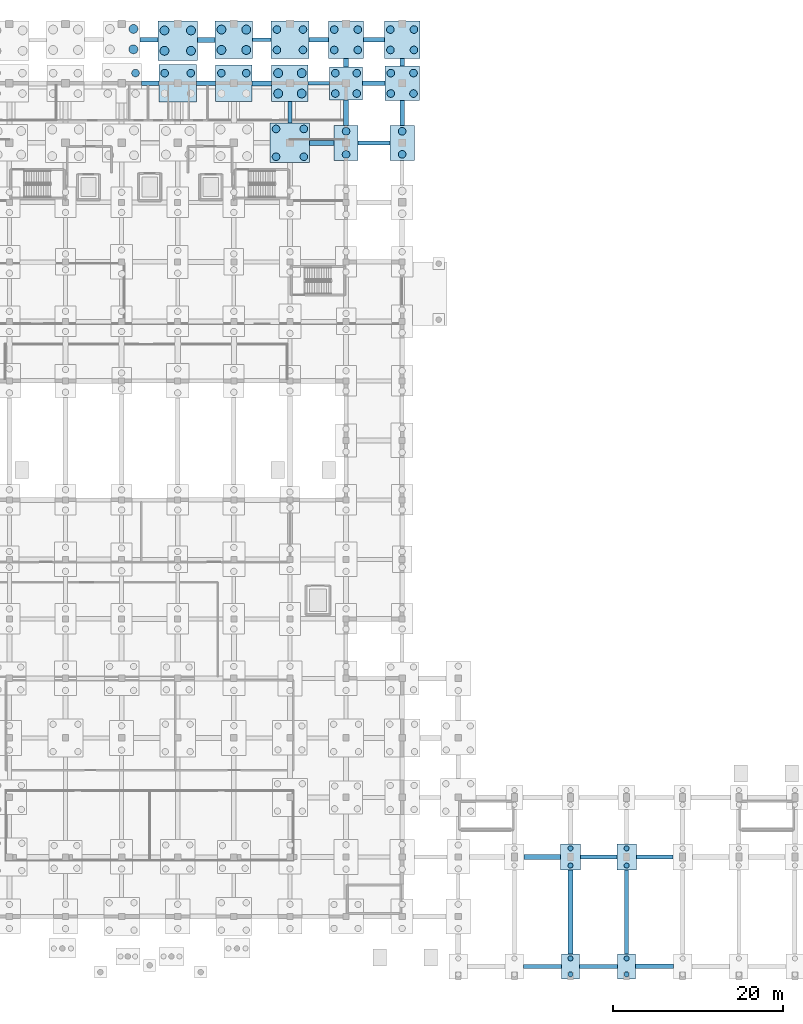
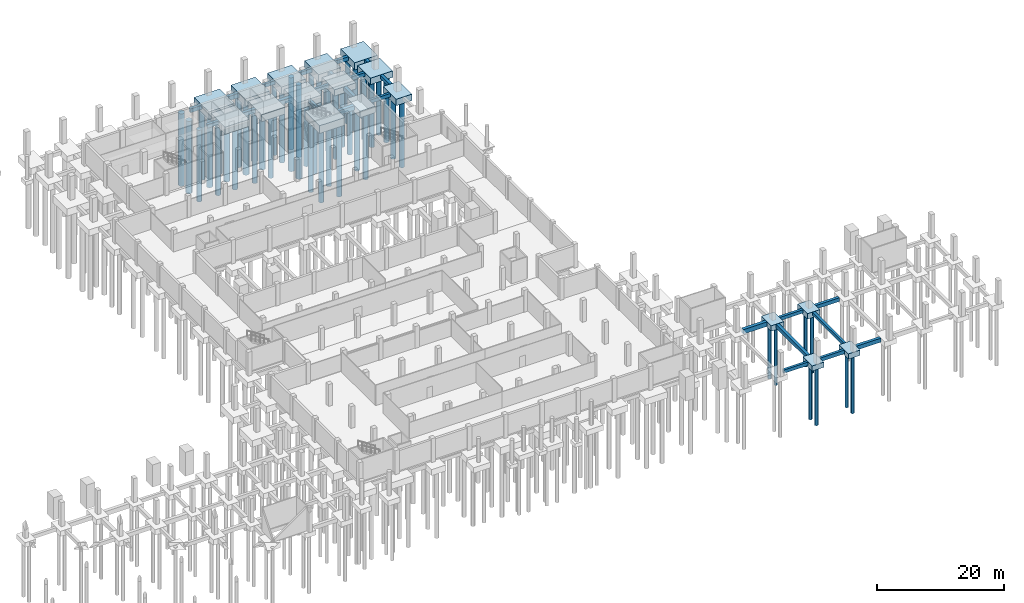
# One storey, part 11 of 27: 55 piles, 42 footings.
"""IFC4 building model written with IfcOpenShell, lengths in metres."""

from ifc_helpers import new_model, si_unit, direction, frame, origin, origin_2d, place, context, subcontext, project, spatial, rectangle, circle, extrude, material, material_profile, profile_set, type_object, element, save


model = new_model("IFC4")

# Units and contexts
model_context = context("Model", 3, precision=1e-05, world=origin(), true_north=direction((0.0, 1.0)))
body_context = subcontext(model_context, "Body", "Model", "MODEL_VIEW")
ifc_project = project(units=[si_unit("LENGTHUNIT", "METRE"), si_unit("AREAUNIT", "SQUARE_METRE"), si_unit("VOLUMEUNIT", "CUBIC_METRE"), si_unit("PLANEANGLEUNIT", "RADIAN"), si_unit("MASSUNIT", "GRAM", prefix="KILO")], contexts=[model_context])

# Site, building, storey
site_placement = place(None, origin())
site = spatial("IfcSite", under=ifc_project, at=site_placement, CompositionType="ELEMENT")
building_placement = place(site_placement, origin())
building = spatial("IfcBuilding", under=site, at=building_placement, Name="Ciguamira Faculty of Natural Sciences", CompositionType="ELEMENT")
storey_placement = place(building_placement, frame((0.0, 0.0, -4.199951171875)))
storey = spatial("IfcBuildingStorey", under=building, at=storey_placement, Name="B1", CompositionType="ELEMENT", Elevation=-4.199951171875)

# Piles
ifc_material = material(Name="Concrete C35/45", Category="concrete")
ifc_material_profile_1 = material_profile(ifc_material, circle(Radius=0.300048828125, at=origin_2d()), Name="PILE-BORED-600")
ifc_profile_set_1 = profile_set([ifc_material_profile_1], Name="Concrete C35/45")
pile_type_1 = type_object("IfcPileType", Name="BoredPile_BP-01_600", PredefinedType="BORED", material=ifc_profile_set_1)
for number, where, z_axis, x_axis, name in (
    (1, (136.5, 3.18994140625, -1.300048828125), (0.0, 0.0, -1.0), (1.0, 0.0, 0.0), "B1 bored pile 193-1"),
    (2, (136.5, 5.06005859375, -1.300048828125), (0.0, 0.0, -1.0), (1.0, 0.0, 0.0), "B1 bored pile 193-2"),
):
    element("IfcPile", number, at=place(storey_placement, frame(where, z_axis=z_axis, x_axis=x_axis)), inside=storey, type_object=pile_type_1, Name=name, PredefinedType="BORED", context=body_context, shape_type="SweptSolid", body=[
        extrude(circle(Radius=0.300048828125, at=origin_2d()), origin(), (0.0, 0.0, 1.0), 11.10009765625),
    ])
for number, where, z_axis, x_axis, name in (
    (3, (136.5, 15.989990234375, -1.35009765625), (0.0, 0.0, -1.0), (1.0, 0.0, 0.0), "B1 bored pile 194-1"),
    (4, (136.5, 18.010009765625, -1.35009765625), (0.0, 0.0, -1.0), (1.0, 0.0, 0.0), "B1 bored pile 194-2"),
):
    element("IfcPile", number, at=place(storey_placement, frame(where, z_axis=z_axis, x_axis=x_axis)), inside=storey, type_object=pile_type_1, Name=name, PredefinedType="BORED", context=body_context, shape_type="SweptSolid", body=[
        extrude(circle(Radius=0.300048828125, at=origin_2d()), origin(), (0.0, 0.0, 1.0), 11.050048828125),
    ])
for number, where, z_axis, x_axis, name in (
    (5, (143.10009765625, 3.18994140625, -1.300048828125), (0.0, 0.0, -1.0), (1.0, 0.0, 0.0), "B1 bored pile 196-1"),
    (6, (143.10009765625, 5.06005859375, -1.300048828125), (0.0, 0.0, -1.0), (1.0, 0.0, 0.0), "B1 bored pile 196-2"),
):
    element("IfcPile", number, at=place(storey_placement, frame(where, z_axis=z_axis, x_axis=x_axis)), inside=storey, type_object=pile_type_1, Name=name, PredefinedType="BORED", context=body_context, shape_type="SweptSolid", body=[
        extrude(circle(Radius=0.300048828125, at=origin_2d()), origin(), (0.0, 0.0, 1.0), 11.10009765625),
    ])
for number, where, z_axis, x_axis, name in (
    (7, (143.10009765625, 15.989990234375, -1.35009765625), (0.0, 0.0, -1.0), (1.0, 0.0, 0.0), "B1 bored pile 197-1"),
    (8, (143.10009765625, 18.010009765625, -1.35009765625), (0.0, 0.0, -1.0), (1.0, 0.0, 0.0), "B1 bored pile 197-2"),
):
    element("IfcPile", number, at=place(storey_placement, frame(where, z_axis=z_axis, x_axis=x_axis)), inside=storey, type_object=pile_type_1, Name=name, PredefinedType="BORED", context=body_context, shape_type="SweptSolid", body=[
        extrude(circle(Radius=0.300048828125, at=origin_2d()), origin(), (0.0, 0.0, 1.0), 11.050048828125),
    ])
ifc_material_profile_2 = material_profile(ifc_material, circle(Radius=0.449951171875, at=origin_2d()), Name="PILE-BORED-900")
ifc_profile_set_2 = profile_set([ifc_material_profile_2], Name="Concrete C35/45")
pile_type_2 = type_object("IfcPileType", Name="BoredPile_BP-03_900", PredefinedType="BORED", material=ifc_profile_set_2)
pile_placement = place(storey_placement, frame((85.3349609375, 109.199951171875, -1.800048828125), z_axis=(0.0, 0.0, -1.0), x_axis=(1.0, 0.0, 0.0)))
element("IfcPile", 9, at=pile_placement, inside=storey, type_object=pile_type_2, Name="B1 bored pile 107-4", PredefinedType="BORED", context=body_context, shape_type="SweptSolid", body=[
    extrude(circle(Radius=0.449951171875, at=origin_2d()), origin(), (0.0, 0.0, 1.0), 13.800048828125),
])
for number, where, z_axis, x_axis, name in (
    (10, (88.764892578125, 109.199951171875, -1.699951171875), (0.0, 0.0, -1.0), (1.0, 0.0, 0.0), "B1 bored pile 121-3"),
    (11, (91.8349609375, 109.199951171875, -1.699951171875), (0.0, 0.0, -1.0), (1.0, 0.0, 0.0), "B1 bored pile 121-4"),
):
    element("IfcPile", number, at=place(storey_placement, frame(where, z_axis=z_axis, x_axis=x_axis)), inside=storey, type_object=pile_type_2, Name=name, PredefinedType="BORED", context=body_context, shape_type="SweptSolid", body=[
        extrude(circle(Radius=0.449951171875, at=origin_2d()), origin(), (0.0, 0.0, 1.0), 13.89990234375),
    ])
for number, where, z_axis, x_axis, name in (
    (12, (95.43994140625, 109.199951171875, -1.650146484375), (0.0, 0.0, -1.0), (1.0, 0.0, 0.0), "B1 bored pile 135-3"),
    (13, (98.360107421875, 109.199951171875, -1.650146484375), (0.0, 0.0, -1.0), (1.0, 0.0, 0.0), "B1 bored pile 135-4"),
):
    element("IfcPile", number, at=place(storey_placement, frame(where, z_axis=z_axis, x_axis=x_axis)), inside=storey, type_object=pile_type_2, Name=name, PredefinedType="BORED", context=body_context, shape_type="SweptSolid", body=[
        extrude(circle(Radius=0.449951171875, at=origin_2d()), origin(), (0.0, 0.0, 1.0), 13.949951171875),
    ])
for number, where, z_axis, x_axis, name in (
    (14, (101.864990234375, 99.364990234375, -1.800048828125), (0.0, 0.0, -1.0), (1.0, 0.0, 0.0), "B1 bored pile 149-1"),
    (15, (105.135009765625, 99.364990234375, -1.800048828125), (0.0, 0.0, -1.0), (1.0, 0.0, 0.0), "B1 bored pile 149-2"),
    (16, (101.864990234375, 102.635009765625, -1.800048828125), (0.0, 0.0, -1.0), (1.0, 0.0, 0.0), "B1 bored pile 149-3"),
    (17, (105.135009765625, 102.635009765625, -1.800048828125), (0.0, 0.0, -1.0), (1.0, 0.0, 0.0), "B1 bored pile 149-4"),
):
    element("IfcPile", number, at=place(storey_placement, frame(where, z_axis=z_axis, x_axis=x_axis)), inside=storey, type_object=pile_type_2, Name=name, PredefinedType="BORED", context=body_context, shape_type="SweptSolid", body=[
        extrude(circle(Radius=0.449951171875, at=origin_2d()), origin(), (0.0, 0.0, 1.0), 13.800048828125),
    ])
for number, where, z_axis, x_axis, name in (
    (18, (101.965087890625, 111.925048828125, -1.699951171875), (0.0, 0.0, -1.0), (1.0, 0.0, 0.0), "B1 bored pile 151-1"),
    (19, (105.034912109375, 111.925048828125, -1.699951171875), (0.0, 0.0, -1.0), (1.0, 0.0, 0.0), "B1 bored pile 151-2"),
    (20, (101.965087890625, 114.324951171875, -1.699951171875), (0.0, 0.0, -1.0), (1.0, 0.0, 0.0), "B1 bored pile 151-3"),
    (21, (105.034912109375, 114.324951171875, -1.699951171875), (0.0, 0.0, -1.0), (1.0, 0.0, 0.0), "B1 bored pile 151-4"),
):
    element("IfcPile", number, at=place(storey_placement, frame(where, z_axis=z_axis, x_axis=x_axis)), inside=storey, type_object=pile_type_2, Name=name, PredefinedType="BORED", context=body_context, shape_type="SweptSolid", body=[
        extrude(circle(Radius=0.449951171875, at=origin_2d()), origin(), (0.0, 0.0, 1.0), 13.89990234375),
    ])
for number, where, z_axis, x_axis, name in (
    (22, (110.10009765625, 99.639892578125, -1.550048828125), (0.0, 0.0, -1.0), (1.0, 0.0, 0.0), "B1 bored pile 165-1"),
    (23, (110.10009765625, 102.360107421875, -1.550048828125), (0.0, 0.0, -1.0), (1.0, 0.0, 0.0), "B1 bored pile 165-2"),
):
    element("IfcPile", number, at=place(storey_placement, frame(where, z_axis=z_axis, x_axis=x_axis)), inside=storey, type_object=pile_type_2, Name=name, PredefinedType="BORED", context=body_context, shape_type="SweptSolid", body=[
        extrude(circle(Radius=0.449951171875, at=origin_2d()), origin(), (0.0, 0.0, 1.0), 12.64990234375),
    ])
for number, where, z_axis, x_axis, name in (
    (24, (108.840087890625, 106.800048828125, -1.5), (0.0, 0.0, -1.0), (1.0, 0.0, 0.0), "B1 bored pile 166-1"),
    (25, (111.360107421875, 106.800048828125, -1.5), (0.0, 0.0, -1.0), (1.0, 0.0, 0.0), "B1 bored pile 166-2"),
    (26, (108.840087890625, 109.199951171875, -1.5), (0.0, 0.0, -1.0), (1.0, 0.0, 0.0), "B1 bored pile 166-3"),
    (27, (111.360107421875, 109.199951171875, -1.5), (0.0, 0.0, -1.0), (1.0, 0.0, 0.0), "B1 bored pile 166-4"),
):
    element("IfcPile", number, at=place(storey_placement, frame(where, z_axis=z_axis, x_axis=x_axis)), inside=storey, type_object=pile_type_2, Name=name, PredefinedType="BORED", context=body_context, shape_type="SweptSolid", body=[
        extrude(circle(Radius=0.449951171875, at=origin_2d()), origin(), (0.0, 0.0, 1.0), 12.699951171875),
    ])
for number, where, z_axis, x_axis, name in (
    (28, (108.715087890625, 111.925048828125, -1.699951171875), (0.0, 0.0, -1.0), (1.0, 0.0, 0.0), "B1 bored pile 167-1"),
    (29, (111.485107421875, 111.925048828125, -1.699951171875), (0.0, 0.0, -1.0), (1.0, 0.0, 0.0), "B1 bored pile 167-2"),
    (30, (108.715087890625, 114.324951171875, -1.699951171875), (0.0, 0.0, -1.0), (1.0, 0.0, 0.0), "B1 bored pile 167-3"),
    (31, (111.485107421875, 114.324951171875, -1.699951171875), (0.0, 0.0, -1.0), (1.0, 0.0, 0.0), "B1 bored pile 167-4"),
):
    element("IfcPile", number, at=place(storey_placement, frame(where, z_axis=z_axis, x_axis=x_axis)), inside=storey, type_object=pile_type_2, Name=name, PredefinedType="BORED", context=body_context, shape_type="SweptSolid", body=[
        extrude(circle(Radius=0.449951171875, at=origin_2d()), origin(), (0.0, 0.0, 1.0), 12.5),
    ])
for number, where, z_axis, x_axis, name in (
    (32, (116.699951171875, 99.639892578125, -1.550048828125), (0.0, 0.0, -1.0), (1.0, 0.0, 0.0), "B1 bored pile 181-1"),
    (33, (116.699951171875, 102.360107421875, -1.550048828125), (0.0, 0.0, -1.0), (1.0, 0.0, 0.0), "B1 bored pile 181-2"),
    (34, (115.364990234375, 106.800048828125, -1.550048828125), (0.0, 0.0, -1.0), (1.0, 0.0, 0.0), "B1 bored pile 182-1"),
    (35, (118.034912109375, 106.800048828125, -1.550048828125), (0.0, 0.0, -1.0), (1.0, 0.0, 0.0), "B1 bored pile 182-2"),
    (36, (115.364990234375, 109.199951171875, -1.550048828125), (0.0, 0.0, -1.0), (1.0, 0.0, 0.0), "B1 bored pile 182-3"),
    (37, (118.034912109375, 109.199951171875, -1.550048828125), (0.0, 0.0, -1.0), (1.0, 0.0, 0.0), "B1 bored pile 182-4"),
):
    element("IfcPile", number, at=place(storey_placement, frame(where, z_axis=z_axis, x_axis=x_axis)), inside=storey, type_object=pile_type_2, Name=name, PredefinedType="BORED", context=body_context, shape_type="SweptSolid", body=[
        extrude(circle(Radius=0.449951171875, at=origin_2d()), origin(), (0.0, 0.0, 1.0), 12.64990234375),
    ])
for number, where, z_axis, x_axis, name in (
    (38, (115.31494140625, 111.925048828125, -1.699951171875), (0.0, 0.0, -1.0), (1.0, 0.0, 0.0), "B1 bored pile 183-1"),
    (39, (118.0849609375, 111.925048828125, -1.699951171875), (0.0, 0.0, -1.0), (1.0, 0.0, 0.0), "B1 bored pile 183-2"),
    (40, (115.31494140625, 114.324951171875, -1.699951171875), (0.0, 0.0, -1.0), (1.0, 0.0, 0.0), "B1 bored pile 183-3"),
    (41, (118.0849609375, 114.324951171875, -1.699951171875), (0.0, 0.0, -1.0), (1.0, 0.0, 0.0), "B1 bored pile 183-4"),
):
    element("IfcPile", number, at=place(storey_placement, frame(where, z_axis=z_axis, x_axis=x_axis)), inside=storey, type_object=pile_type_2, Name=name, PredefinedType="BORED", context=body_context, shape_type="SweptSolid", body=[
        extrude(circle(Radius=0.449951171875, at=origin_2d()), origin(), (0.0, 0.0, 1.0), 12.5),
    ])
ifc_material_profile_3 = material_profile(ifc_material, circle(Radius=0.52490234375, at=origin_2d()), Name="PILE-BORED-1050")
ifc_profile_set_3 = profile_set([ifc_material_profile_3], Name="Concrete C35/45")
pile_type_3 = type_object("IfcPileType", Name="BoredPile_BP-04_1050", PredefinedType="BORED", material=ifc_profile_set_3)
for number, where, z_axis, x_axis, name in (
    (42, (85.0849609375, 112.0, -1.650146484375), (0.0, 0.0, -1.0), (1.0, 0.0, 0.0), "B1 bored pile 108-2"),
    (43, (85.0849609375, 114.39990234375, -1.650146484375), (0.0, 0.0, -1.0), (1.0, 0.0, 0.0), "B1 bored pile 108-4"),
):
    element("IfcPile", number, at=place(storey_placement, frame(where, z_axis=z_axis, x_axis=x_axis)), inside=storey, type_object=pile_type_3, Name=name, PredefinedType="BORED", context=body_context, shape_type="SweptSolid", body=[
        extrude(circle(Radius=0.52490234375, at=origin_2d()), origin(), (0.0, 0.0, 1.0), 13.949951171875),
    ])
for number, where, z_axis, x_axis, name in (
    (44, (88.739990234375, 111.824951171875, -1.800048828125), (0.0, 0.0, -1.0), (1.0, 0.0, 0.0), "B1 bored pile 122-1"),
    (45, (91.860107421875, 111.824951171875, -1.800048828125), (0.0, 0.0, -1.0), (1.0, 0.0, 0.0), "B1 bored pile 122-2"),
    (46, (88.739990234375, 114.22509765625, -1.800048828125), (0.0, 0.0, -1.0), (1.0, 0.0, 0.0), "B1 bored pile 122-3"),
    (47, (91.860107421875, 114.22509765625, -1.800048828125), (0.0, 0.0, -1.0), (1.0, 0.0, 0.0), "B1 bored pile 122-4"),
):
    element("IfcPile", number, at=place(storey_placement, frame(where, z_axis=z_axis, x_axis=x_axis)), inside=storey, type_object=pile_type_3, Name=name, PredefinedType="BORED", context=body_context, shape_type="SweptSolid", body=[
        extrude(circle(Radius=0.52490234375, at=origin_2d()), origin(), (0.0, 0.0, 1.0), 13.800048828125),
    ])
for number, where, z_axis, x_axis, name in (
    (48, (95.43994140625, 111.925048828125, -1.699951171875), (0.0, 0.0, -1.0), (1.0, 0.0, 0.0), "B1 bored pile 136-1"),
    (49, (98.360107421875, 111.925048828125, -1.699951171875), (0.0, 0.0, -1.0), (1.0, 0.0, 0.0), "B1 bored pile 136-2"),
    (50, (95.43994140625, 114.324951171875, -1.699951171875), (0.0, 0.0, -1.0), (1.0, 0.0, 0.0), "B1 bored pile 136-3"),
    (51, (98.360107421875, 114.324951171875, -1.699951171875), (0.0, 0.0, -1.0), (1.0, 0.0, 0.0), "B1 bored pile 136-4"),
):
    element("IfcPile", number, at=place(storey_placement, frame(where, z_axis=z_axis, x_axis=x_axis)), inside=storey, type_object=pile_type_3, Name=name, PredefinedType="BORED", context=body_context, shape_type="SweptSolid", body=[
        extrude(circle(Radius=0.52490234375, at=origin_2d()), origin(), (0.0, 0.0, 1.0), 13.89990234375),
    ])
for number, where, z_axis, x_axis, name in (
    (52, (102.114990234375, 106.800048828125, -1.650146484375), (0.0, 0.0, -1.0), (1.0, 0.0, 0.0), "B1 bored pile 150-1"),
    (53, (104.885009765625, 106.800048828125, -1.650146484375), (0.0, 0.0, -1.0), (1.0, 0.0, 0.0), "B1 bored pile 150-2"),
    (54, (102.114990234375, 109.199951171875, -1.650146484375), (0.0, 0.0, -1.0), (1.0, 0.0, 0.0), "B1 bored pile 150-3"),
    (55, (104.885009765625, 109.199951171875, -1.650146484375), (0.0, 0.0, -1.0), (1.0, 0.0, 0.0), "B1 bored pile 150-4"),
):
    element("IfcPile", number, at=place(storey_placement, frame(where, z_axis=z_axis, x_axis=x_axis)), inside=storey, type_object=pile_type_3, Name=name, PredefinedType="BORED", context=body_context, shape_type="SweptSolid", body=[
        extrude(circle(Radius=0.52490234375, at=origin_2d()), origin(), (0.0, 0.0, 1.0), 13.949951171875),
    ])

# Footings
ifc_material_profile_4 = material_profile(ifc_material, rectangle(XDim=0.449951171875, YDim=0.64990234375, at=origin_2d()), Name="RC-FB-450X650")
ifc_profile_set_4 = profile_set([ifc_material_profile_4], Name="Concrete C35/45")
footing_type_1 = type_object("IfcFootingType", Name="FootingBeam_FB-01_450x650", PredefinedType="FOOTING_BEAM", material=ifc_profile_set_4)
footing_1_placement = place(storey_placement, frame((130.97509765625, 4.125, -0.72509765625), z_axis=(1.0, 0.0, 0.0), x_axis=(0.0, 1.0, 0.0)))
element("IfcFooting", 56, at=footing_1_placement, inside=storey, type_object=footing_type_1, Name="B1 ground tie beam 0009", PredefinedType="FOOTING_BEAM", context=body_context, shape_type="SweptSolid", body=[
    extrude(rectangle(XDim=0.449951171875, YDim=0.64990234375, at=origin_2d()), origin(), (0.0, 0.0, 1.0), 4.449951171875),
])
footing_2_placement = place(storey_placement, frame((137.64990234375, 17.0, -0.72509765625), z_axis=(1.0, 0.0, 0.0), x_axis=(0.0, 1.0, 0.0)))
element("IfcFooting", 57, at=footing_2_placement, inside=storey, type_object=footing_type_1, Name="B1 ground tie beam 0053", PredefinedType="FOOTING_BEAM", context=body_context, shape_type="SweptSolid", body=[
    extrude(rectangle(XDim=0.449951171875, YDim=0.64990234375, at=origin_2d()), origin(), (0.0, 0.0, 1.0), 4.300048828125),
])
footing_3_placement = place(storey_placement, frame((111.52490234375, 101.0, -0.72509765625), z_axis=(1.0, 0.0, 0.0), x_axis=(0.0, 1.0, 0.0)))
element("IfcFooting", 58, at=footing_3_placement, inside=storey, type_object=footing_type_1, Name="B1 ground tie beam 0173", PredefinedType="FOOTING_BEAM", context=body_context, shape_type="SweptSolid", body=[
    extrude(rectangle(XDim=0.449951171875, YDim=0.64990234375, at=origin_2d()), origin(), (0.0, 0.0, 1.0), 3.75),
])
footing_4_placement = place(storey_placement, frame((105.64990234375, 108.0, -0.72509765625), z_axis=(1.0, 0.0, 0.0), x_axis=(0.0, 1.0, 0.0)))
element("IfcFooting", 59, at=footing_4_placement, inside=storey, type_object=footing_type_1, Name="B1 ground tie beam 0181", PredefinedType="FOOTING_BEAM", context=body_context, shape_type="SweptSolid", body=[
    extrude(rectangle(XDim=0.449951171875, YDim=0.64990234375, at=origin_2d()), origin(), (0.0, 0.0, 1.0), 2.5),
])
footing_5_placement = place(storey_placement, frame((99.125, 113.125, -0.72509765625), z_axis=(1.0, 0.0, 0.0), x_axis=(0.0, 1.0, 0.0)))
element("IfcFooting", 60, at=footing_5_placement, inside=storey, type_object=footing_type_1, Name="B1 ground tie beam 0189", PredefinedType="FOOTING_BEAM", context=body_context, shape_type="SweptSolid", body=[
    extrude(rectangle(XDim=0.449951171875, YDim=0.64990234375, at=origin_2d()), origin(), (0.0, 0.0, 1.0), 2.14990234375),
])
footing_6_placement = place(storey_placement, frame((103.5, 103.324951171875, -0.72509765625), z_axis=(0.0, 1.0, 0.0), x_axis=(-1.0, 0.0, 0.0)))
element("IfcFooting", 61, at=footing_6_placement, inside=storey, type_object=footing_type_1, Name="B1 ground tie beam 0321", PredefinedType="FOOTING_BEAM", context=body_context, shape_type="SweptSolid", body=[
    extrude(rectangle(XDim=0.449951171875, YDim=0.64990234375, at=origin_2d()), origin(), (0.0, 0.0, 1.0), 2.525146484375),
])
footing_7_placement = place(storey_placement, frame((143.10009765625, 5.60009765625, -0.72509765625), z_axis=(0.0, 1.0, 0.0), x_axis=(-1.0, 0.0, 0.0)))
element("IfcFooting", 62, at=footing_7_placement, inside=storey, type_object=footing_type_1, Name="B1 ground tie beam 0361", PredefinedType="FOOTING_BEAM", context=body_context, shape_type="SweptSolid", body=[
    extrude(rectangle(XDim=0.449951171875, YDim=0.64990234375, at=origin_2d()), origin(), (0.0, 0.0, 1.0), 9.849853515625),
])
ifc_material_profile_5 = material_profile(ifc_material, rectangle(XDim=0.5, YDim=0.699951171875, at=origin_2d()), Name="RC-FB-500X700")
ifc_profile_set_5 = profile_set([ifc_material_profile_5], Name="Concrete C35/45")
footing_type_2 = type_object("IfcFootingType", Name="FootingBeam_FB-02_500x700", PredefinedType="FOOTING_BEAM", material=ifc_profile_set_5)
footing_8_placement = place(storey_placement, frame((137.574951171875, 4.125, -0.75), z_axis=(1.0, 0.0, 0.0), x_axis=(0.0, 1.0, 0.0)))
element("IfcFooting", 63, at=footing_8_placement, inside=storey, type_object=footing_type_2, Name="B1 ground tie beam 0010", PredefinedType="FOOTING_BEAM", context=body_context, shape_type="SweptSolid", body=[
    extrude(rectangle(XDim=0.5, YDim=0.699951171875, at=origin_2d()), origin(), (0.0, 0.0, 1.0), 4.449951171875),
])
footing_9_placement = place(storey_placement, frame((144.25, 17.0, -0.75), z_axis=(1.0, 0.0, 0.0), x_axis=(0.0, 1.0, 0.0)))
element("IfcFooting", 64, at=footing_9_placement, inside=storey, type_object=footing_type_2, Name="B1 ground tie beam 0054", PredefinedType="FOOTING_BEAM", context=body_context, shape_type="SweptSolid", body=[
    extrude(rectangle(XDim=0.5, YDim=0.699951171875, at=origin_2d()), origin(), (0.0, 0.0, 1.0), 4.300048828125),
])
footing_10_placement = place(storey_placement, frame((86.02490234375, 108.0, -0.75), z_axis=(1.0, 0.0, 0.0), x_axis=(0.0, 1.0, 0.0)))
element("IfcFooting", 65, at=footing_10_placement, inside=storey, type_object=footing_type_2, Name="B1 ground tie beam 0178", PredefinedType="FOOTING_BEAM", context=body_context, shape_type="SweptSolid", body=[
    extrude(rectangle(XDim=0.5, YDim=0.699951171875, at=origin_2d()), origin(), (0.0, 0.0, 1.0), 2.050048828125),
])
footing_11_placement = place(storey_placement, frame((112.050048828125, 108.0, -0.75), z_axis=(1.0, 0.0, 0.0), x_axis=(0.0, 1.0, 0.0)))
element("IfcFooting", 66, at=footing_11_placement, inside=storey, type_object=footing_type_2, Name="B1 ground tie beam 0182", PredefinedType="FOOTING_BEAM", context=body_context, shape_type="SweptSolid", body=[
    extrude(rectangle(XDim=0.5, YDim=0.699951171875, at=origin_2d()), origin(), (0.0, 0.0, 1.0), 2.625),
])
footing_12_placement = place(storey_placement, frame((105.72509765625, 113.125, -0.75), z_axis=(1.0, 0.0, 0.0), x_axis=(0.0, 1.0, 0.0)))
element("IfcFooting", 67, at=footing_12_placement, inside=storey, type_object=footing_type_2, Name="B1 ground tie beam 0190", PredefinedType="FOOTING_BEAM", context=body_context, shape_type="SweptSolid", body=[
    extrude(rectangle(XDim=0.5, YDim=0.699951171875, at=origin_2d()), origin(), (0.0, 0.0, 1.0), 2.2998046875),
])
footing_13_placement = place(storey_placement, frame((116.699951171875, 103.050048828125, -0.75), z_axis=(0.0, 1.0, 0.0), x_axis=(-1.0, 0.0, 0.0)))
element("IfcFooting", 68, at=footing_13_placement, inside=storey, type_object=footing_type_2, Name="B1 ground tie beam 0350", PredefinedType="FOOTING_BEAM", context=body_context, shape_type="SweptSolid", body=[
    extrude(rectangle(XDim=0.5, YDim=0.699951171875, at=origin_2d()), origin(), (0.0, 0.0, 1.0), 2.925048828125),
])
ifc_material_profile_6 = material_profile(ifc_material, rectangle(XDim=0.550048828125, YDim=0.75, at=origin_2d()), Name="RC-FB-550X750")
ifc_profile_set_6 = profile_set([ifc_material_profile_6], Name="Concrete C35/45")
footing_type_3 = type_object("IfcFootingType", Name="FootingBeam_FB-03_550x750", PredefinedType="FOOTING_BEAM", material=ifc_profile_set_6)
footing_14_placement = place(storey_placement, frame((144.175048828125, 4.125, -0.775146484375), z_axis=(1.0, 0.0, 0.0), x_axis=(0.0, 1.0, 0.0)))
element("IfcFooting", 69, at=footing_14_placement, inside=storey, type_object=footing_type_3, Name="B1 ground tie beam 0011", PredefinedType="FOOTING_BEAM", context=body_context, shape_type="SweptSolid", body=[
    extrude(rectangle(XDim=0.550048828125, YDim=0.75, at=origin_2d()), origin(), (0.0, 0.0, 1.0), 4.449951171875),
])
footing_15_placement = place(storey_placement, frame((92.52490234375, 108.0, -0.775146484375), z_axis=(1.0, 0.0, 0.0), x_axis=(0.0, 1.0, 0.0)))
element("IfcFooting", 70, at=footing_15_placement, inside=storey, type_object=footing_type_3, Name="B1 ground tie beam 0179", PredefinedType="FOOTING_BEAM", context=body_context, shape_type="SweptSolid", body=[
    extrude(rectangle(XDim=0.550048828125, YDim=0.75, at=origin_2d()), origin(), (0.0, 0.0, 1.0), 2.22509765625),
])
footing_16_placement = place(storey_placement, frame((85.85009765625, 113.112548828125, -0.775146484375), z_axis=(1.0, 0.0, 0.0), x_axis=(0.0, 1.0, 0.0)))
element("IfcFooting", 71, at=footing_16_placement, inside=storey, type_object=footing_type_3, Name="B1 ground tie beam 0187", PredefinedType="FOOTING_BEAM", context=body_context, shape_type="SweptSolid", body=[
    extrude(rectangle(XDim=0.550048828125, YDim=0.75, at=origin_2d()), origin(), (0.0, 0.0, 1.0), 2.125),
])
footing_17_placement = place(storey_placement, frame((112.175048828125, 113.125, -0.775146484375), z_axis=(1.0, 0.0, 0.0), x_axis=(0.0, 1.0, 0.0)))
element("IfcFooting", 72, at=footing_17_placement, inside=storey, type_object=footing_type_3, Name="B1 ground tie beam 0191", PredefinedType="FOOTING_BEAM", context=body_context, shape_type="SweptSolid", body=[
    extrude(rectangle(XDim=0.550048828125, YDim=0.75, at=origin_2d()), origin(), (0.0, 0.0, 1.0), 2.449951171875),
])
footing_18_placement = place(storey_placement, frame((110.10009765625, 103.050048828125, -0.775146484375), z_axis=(0.0, 1.0, 0.0), x_axis=(-1.0, 0.0, 0.0)))
element("IfcFooting", 73, at=footing_18_placement, inside=storey, type_object=footing_type_3, Name="B1 ground tie beam 0335", PredefinedType="FOOTING_BEAM", context=body_context, shape_type="SweptSolid", body=[
    extrude(rectangle(XDim=0.550048828125, YDim=0.75, at=origin_2d()), origin(), (0.0, 0.0, 1.0), 3.0),
])
footing_19_placement = place(storey_placement, frame((116.699951171875, 110.02490234375, -0.775146484375), z_axis=(0.0, 1.0, 0.0), x_axis=(-1.0, 0.0, 0.0)))
element("IfcFooting", 74, at=footing_19_placement, inside=storey, type_object=footing_type_3, Name="B1 ground tie beam 0351", PredefinedType="FOOTING_BEAM", context=body_context, shape_type="SweptSolid", body=[
    extrude(rectangle(XDim=0.550048828125, YDim=0.75, at=origin_2d()), origin(), (0.0, 0.0, 1.0), 0.875),
])
footing_20_placement = place(storey_placement, frame((136.5, 5.60009765625, -0.775146484375), z_axis=(0.0, 1.0, 0.0), x_axis=(-1.0, 0.0, 0.0)))
element("IfcFooting", 75, at=footing_20_placement, inside=storey, type_object=footing_type_3, Name="B1 ground tie beam 0359", PredefinedType="FOOTING_BEAM", context=body_context, shape_type="SweptSolid", body=[
    extrude(rectangle(XDim=0.550048828125, YDim=0.75, at=origin_2d()), origin(), (0.0, 0.0, 1.0), 9.849853515625),
])
ifc_material_profile_7 = material_profile(ifc_material, rectangle(XDim=0.60009765625, YDim=0.85009765625, at=origin_2d()), Name="RC-FB-600X850")
ifc_profile_set_7 = profile_set([ifc_material_profile_7], Name="Concrete C35/45")
footing_type_4 = type_object("IfcFootingType", Name="FootingBeam_FB-04_600x850", PredefinedType="FOOTING_BEAM", material=ifc_profile_set_7)
footing_21_placement = place(storey_placement, frame((131.050048828125, 17.0, -0.824951171875), z_axis=(1.0, 0.0, 0.0), x_axis=(0.0, 1.0, 0.0)))
element("IfcFooting", 76, at=footing_21_placement, inside=storey, type_object=footing_type_4, Name="B1 ground tie beam 0052", PredefinedType="FOOTING_BEAM", context=body_context, shape_type="SweptSolid", body=[
    extrude(rectangle(XDim=0.60009765625, YDim=0.85009765625, at=origin_2d()), origin(), (0.0, 0.0, 1.0), 4.300048828125),
])
footing_22_placement = place(storey_placement, frame((105.824951171875, 101.0, -0.824951171875), z_axis=(1.0, 0.0, 0.0), x_axis=(0.0, 1.0, 0.0)))
element("IfcFooting", 77, at=footing_22_placement, inside=storey, type_object=footing_type_4, Name="B1 ground tie beam 0172", PredefinedType="FOOTING_BEAM", context=body_context, shape_type="SweptSolid", body=[
    extrude(rectangle(XDim=0.60009765625, YDim=0.85009765625, at=origin_2d()), origin(), (0.0, 0.0, 1.0), 2.85009765625),
])
footing_23_placement = place(storey_placement, frame((99.050048828125, 108.0, -0.824951171875), z_axis=(1.0, 0.0, 0.0), x_axis=(0.0, 1.0, 0.0)))
element("IfcFooting", 78, at=footing_23_placement, inside=storey, type_object=footing_type_4, Name="B1 ground tie beam 0180", PredefinedType="FOOTING_BEAM", context=body_context, shape_type="SweptSolid", body=[
    extrude(rectangle(XDim=0.60009765625, YDim=0.85009765625, at=origin_2d()), origin(), (0.0, 0.0, 1.0), 2.300048828125),
])
footing_24_placement = place(storey_placement, frame((92.625, 113.074951171875, -0.824951171875), z_axis=(1.0, 0.0, 0.0), x_axis=(0.0, 1.0, 0.0)))
element("IfcFooting", 79, at=footing_24_placement, inside=storey, type_object=footing_type_4, Name="B1 ground tie beam 0188", PredefinedType="FOOTING_BEAM", context=body_context, shape_type="SweptSolid", body=[
    extrude(rectangle(XDim=0.60009765625, YDim=0.85009765625, at=origin_2d()), origin(), (0.0, 0.0, 1.0), 2.050048828125),
])
footing_25_placement = place(storey_placement, frame((110.10009765625, 109.949951171875, -0.824951171875), z_axis=(0.0, 1.0, 0.0), x_axis=(-1.0, 0.0, 0.0)))
element("IfcFooting", 80, at=footing_25_placement, inside=storey, type_object=footing_type_4, Name="B1 ground tie beam 0336", PredefinedType="FOOTING_BEAM", context=body_context, shape_type="SweptSolid", body=[
    extrude(rectangle(XDim=0.60009765625, YDim=0.85009765625, at=origin_2d()), origin(), (0.0, 0.0, 1.0), 0.949951171875),
])
footing_type_5 = type_object("IfcFootingType", Name="PileCap_PC-02_215x295x100", PredefinedType="PILE_CAP", material=ifc_material)
for number, where, z_axis, x_axis, name in (
    (81, (136.5, 4.125, -1.400146484375), (0.0, 0.0, 1.0), (1.0, 0.0, 0.0), "B1 pile cap PC-02 at (136.5, 3.0)"),
    (82, (143.10009765625, 4.125, -1.400146484375), (0.0, 0.0, 1.0), (1.0, 0.0, 0.0), "B1 pile cap PC-02 at (143.1, 3.0)"),
):
    element("IfcFooting", number, at=place(storey_placement, frame(where, z_axis=z_axis, x_axis=x_axis)), inside=storey, type_object=footing_type_5, Name=name, PredefinedType="PILE_CAP", context=body_context, shape_type="SweptSolid", body=[
        extrude(rectangle(XDim=2.14990234375, YDim=2.949951171875, at=origin_2d()), origin(), (0.0, 0.0, 1.0), 1.0),
    ])
footing_type_6 = type_object("IfcFootingType", Name="PileCap_PC-03_230x310x105", PredefinedType="PILE_CAP", material=ifc_material)
for number, where, z_axis, x_axis, name in (
    (83, (136.5, 17.0, -1.4501953125), (0.0, 0.0, 1.0), (1.0, 0.0, 0.0), "B1 pile cap PC-03 at (136.5, 17.0)"),
    (84, (143.10009765625, 17.0, -1.4501953125), (0.0, 0.0, 1.0), (1.0, 0.0, 0.0), "B1 pile cap PC-03 at (143.1, 17.0)"),
):
    element("IfcFooting", number, at=place(storey_placement, frame(where, z_axis=z_axis, x_axis=x_axis)), inside=storey, type_object=footing_type_6, Name=name, PredefinedType="PILE_CAP", context=body_context, shape_type="SweptSolid", body=[
        extrude(rectangle(XDim=2.300048828125, YDim=3.10009765625, at=origin_2d()), origin(), (0.0, 0.0, 1.0), 1.050048828125),
    ])
footing_type_7 = type_object("IfcFootingType", Name="PileCap_PC-06_390x390x120", PredefinedType="PILE_CAP", material=ifc_material)
footing_26_placement = place(storey_placement, frame((110.10009765625, 108.0, -1.60009765625), z_axis=(0.0, 0.0, 1.0), x_axis=(1.0, 0.0, 0.0)))
element("IfcFooting", 85, at=footing_26_placement, inside=storey, type_object=footing_type_7, Name="B1 pile cap PC-06 at (110.1, 108.0)", PredefinedType="PILE_CAP", context=body_context, shape_type="SweptSolid", body=[
    extrude(rectangle(XDim=3.89990234375, YDim=3.89990234375, at=origin_2d()), origin(), (0.0, 0.0, 1.0), 1.199951171875),
])
footing_type_8 = type_object("IfcFootingType", Name="PileCap_PC-07_405x405x125", PredefinedType="PILE_CAP", material=ifc_material)
footing_27_placement = place(storey_placement, frame((116.699951171875, 108.0, -1.650146484375), z_axis=(0.0, 0.0, 1.0), x_axis=(1.0, 0.0, 0.0)))
element("IfcFooting", 86, at=footing_27_placement, inside=storey, type_object=footing_type_8, Name="B1 pile cap PC-07 at (116.7, 108.0)", PredefinedType="PILE_CAP", context=body_context, shape_type="SweptSolid", body=[
    extrude(rectangle(XDim=4.050048828125, YDim=4.050048828125, at=origin_2d()), origin(), (0.0, 0.0, 1.0), 1.25),
])
footing_type_9 = type_object("IfcFootingType", Name="PileCap_PC-08_430x430x135", PredefinedType="PILE_CAP", material=ifc_material)
for number, where, z_axis, x_axis, name in (
    (87, (96.89990234375, 108.0, -1.75), (0.0, 0.0, 1.0), (1.0, 0.0, 0.0), "B1 pile cap PC-08 at (96.9, 108.0)"),
    (88, (103.5, 108.0, -1.75), (0.0, 0.0, 1.0), (1.0, 0.0, 0.0), "B1 pile cap PC-08 at (103.5, 108.0)"),
):
    element("IfcFooting", number, at=place(storey_placement, frame(where, z_axis=z_axis, x_axis=x_axis)), inside=storey, type_object=footing_type_9, Name=name, PredefinedType="PILE_CAP", context=body_context, shape_type="SweptSolid", body=[
        extrude(rectangle(XDim=4.300048828125, YDim=4.300048828125, at=origin_2d()), origin(), (0.0, 0.0, 1.0), 1.35009765625),
    ])
footing_type_10 = type_object("IfcFootingType", Name="PileCap_PC-09_445x445x140", PredefinedType="PILE_CAP", material=ifc_material)
for number, where, z_axis, x_axis, name in (
    (89, (90.300048828125, 108.0, -1.800048828125), (0.0, 0.0, 1.0), (1.0, 0.0, 0.0), "B1 pile cap PC-09 at (90.3, 108.0)"),
    (90, (96.89990234375, 113.125, -1.800048828125), (0.0, 0.0, 1.0), (1.0, 0.0, 0.0), "B1 pile cap PC-09 at (96.9, 115.0)"),
    (91, (103.5, 113.125, -1.800048828125), (0.0, 0.0, 1.0), (1.0, 0.0, 0.0), "B1 pile cap PC-09 at (103.5, 115.0)"),
):
    element("IfcFooting", number, at=place(storey_placement, frame(where, z_axis=z_axis, x_axis=x_axis)), inside=storey, type_object=footing_type_10, Name=name, PredefinedType="PILE_CAP", context=body_context, shape_type="SweptSolid", body=[
        extrude(rectangle(XDim=4.449951171875, YDim=4.449951171875, at=origin_2d()), origin(), (0.0, 0.0, 1.0), 1.39990234375),
    ])
footing_type_11 = type_object("IfcFootingType", Name="PileCap_PC-10_465x465x150", PredefinedType="PILE_CAP", material=ifc_material)
for number, where, z_axis, x_axis, name in (
    (92, (90.300048828125, 113.02490234375, -1.900146484375), (0.0, 0.0, 1.0), (1.0, 0.0, 0.0), "B1 pile cap PC-10 at (90.3, 115.0)"),
    (93, (103.5, 101.0, -1.900146484375), (0.0, 0.0, 1.0), (1.0, 0.0, 0.0), "B1 pile cap PC-10 at (103.5, 101.0)"),
):
    element("IfcFooting", number, at=place(storey_placement, frame(where, z_axis=z_axis, x_axis=x_axis)), inside=storey, type_object=footing_type_11, Name=name, PredefinedType="PILE_CAP", context=body_context, shape_type="SweptSolid", body=[
        extrude(rectangle(XDim=4.64990234375, YDim=4.64990234375, at=origin_2d()), origin(), (0.0, 0.0, 1.0), 1.5),
    ])
footing_type_12 = type_object("IfcFootingType", Name="PileCap_PC-14_285x410x125", PredefinedType="PILE_CAP", material=ifc_material)
for number, where, z_axis, x_axis, name in (
    (94, (110.10009765625, 101.0, -1.650146484375), (0.0, 0.0, 1.0), (1.0, 0.0, 0.0), "B1 pile cap PC-14 at (110.1, 101.0)"),
    (95, (116.699951171875, 101.0, -1.650146484375), (0.0, 0.0, 1.0), (1.0, 0.0, 0.0), "B1 pile cap PC-14 at (116.7, 101.0)"),
):
    element("IfcFooting", number, at=place(storey_placement, frame(where, z_axis=z_axis, x_axis=x_axis)), inside=storey, type_object=footing_type_12, Name=name, PredefinedType="PILE_CAP", context=body_context, shape_type="SweptSolid", body=[
        extrude(rectangle(XDim=2.85009765625, YDim=4.10009765625, at=origin_2d()), origin(), (0.0, 0.0, 1.0), 1.25),
    ])
footing_type_13 = type_object("IfcFootingType", Name="PileCap_PC-16_415x445x140", PredefinedType="PILE_CAP", material=ifc_material)
for number, where, z_axis, x_axis, name in (
    (96, (110.10009765625, 113.125, -1.800048828125), (0.0, 0.0, 1.0), (1.0, 0.0, 0.0), "B1 pile cap PC-16 at (110.1, 115.0)"),
    (97, (116.699951171875, 113.125, -1.800048828125), (0.0, 0.0, 1.0), (1.0, 0.0, 0.0), "B1 pile cap PC-16 at (116.7, 115.0)"),
):
    element("IfcFooting", number, at=place(storey_placement, frame(where, z_axis=z_axis, x_axis=x_axis)), inside=storey, type_object=footing_type_13, Name=name, PredefinedType="PILE_CAP", context=body_context, shape_type="SweptSolid", body=[
        extrude(rectangle(XDim=4.14990234375, YDim=4.449951171875, at=origin_2d()), origin(), (0.0, 0.0, 1.0), 1.39990234375),
    ])

save(model, "model.ifc")
